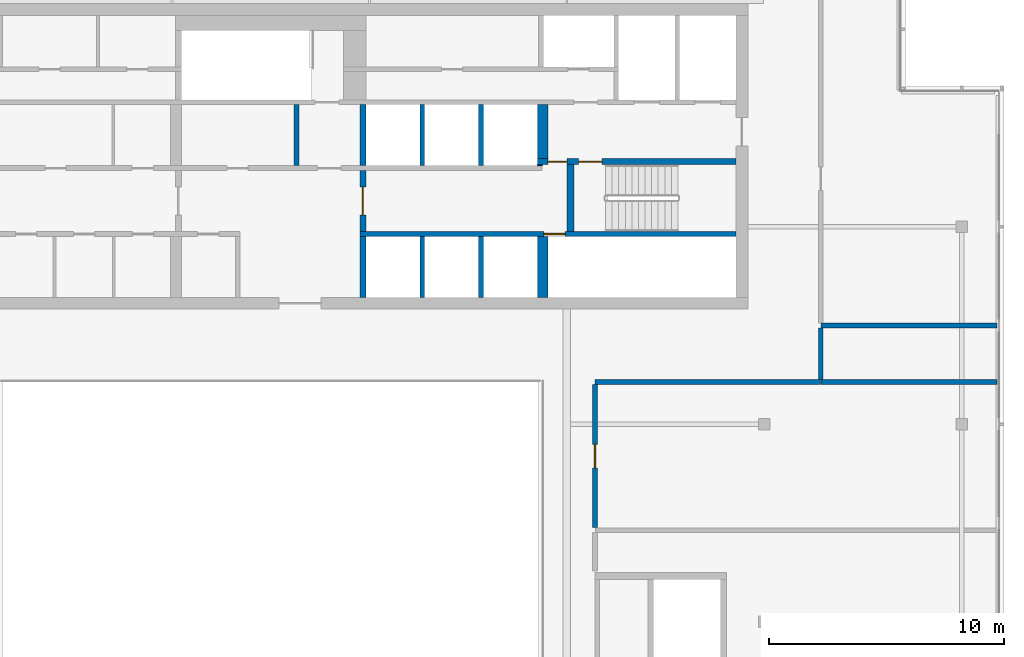
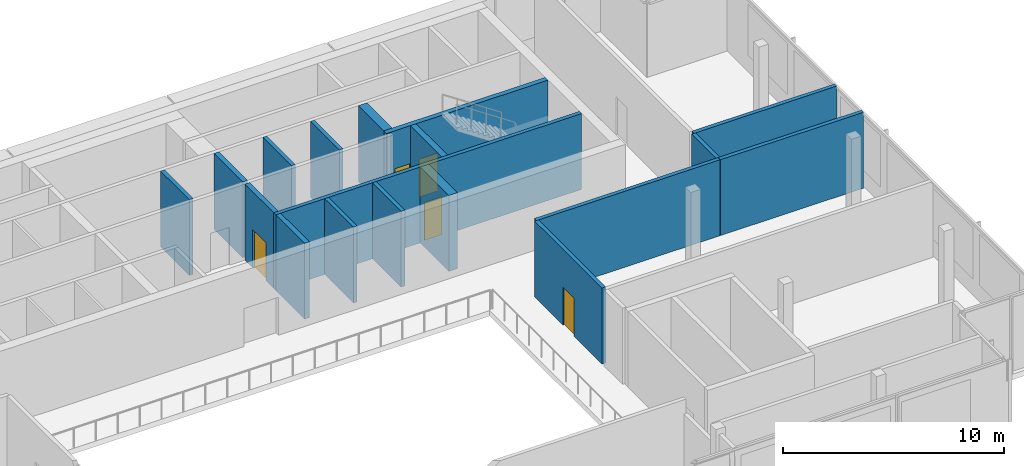
# One storey, part 12 of 14: 19 walls, 5 doors, 5 openings.
"""IFC4 building model written with IfcOpenShell, lengths in metres."""

from ifc_helpers import new_model, si_unit, direction, frame, frame_2d, origin, place, context, subcontext, project, spatial, rectangle, extrude, material, layer, layer_set, type_object, element, fill, save


model = new_model("IFC4")

# Units and contexts
model_context = context("Model", 3, precision=1e-05, world=origin(), true_north=direction((0.0, 1.0)))
body_context = subcontext(model_context, "Body", "Model", "MODEL_VIEW")
ifc_project = project(units=[si_unit("LENGTHUNIT", "METRE"), si_unit("AREAUNIT", "SQUARE_METRE"), si_unit("VOLUMEUNIT", "CUBIC_METRE"), si_unit("PLANEANGLEUNIT", "RADIAN"), si_unit("MASSUNIT", "GRAM", prefix="KILO")], contexts=[model_context])

# Site, building, storey
site_placement = place(None, origin())
site = spatial("IfcSite", under=ifc_project, at=site_placement, CompositionType="ELEMENT")
building_placement = place(site_placement, origin())
building = spatial("IfcBuilding", under=site, at=building_placement, Name="Saffron Gate Tower", CompositionType="ELEMENT")
storey_placement = place(building_placement, frame((0.0, 0.0, 310.35009765625)))
storey = spatial("IfcBuildingStorey", under=building, at=storey_placement, Name="L76", CompositionType="ELEMENT", Elevation=310.35009765625)

# Walls
ifc_material_1 = material(Name="Gypsum board partition on steel studs", Category="steel")
ifc_layer_1 = layer(ifc_material_1, 0.199951171875)
ifc_layer_set_1 = layer_set([ifc_layer_1], Name="CW10 Core partition 200")
wall_type_1 = type_object("IfcWallType", Name="CW10 Core partition 200", PredefinedType="PARTITIONING", material=ifc_layer_set_1)
wall_1_placement = place(storey_placement, frame((88.699951171875, 68.0, 0.0), z_axis=(0.0, 0.0, 1.0), x_axis=(0.0, 1.0, 0.0)))
element("IfcWall", 1, at=wall_1_placement, inside=storey, type_object=wall_type_1, Name="Wall CW10-L76-23", PredefinedType="PARTITIONING", context=body_context, shape_type="SweptSolid", body=[
    extrude(rectangle(XDim=2.60009765625, YDim=0.199951171875, at=frame_2d((1.300048828125, 0.0))), origin(), (0.0, 0.0, 1.0), 4.199951171875),
])
ifc_material_2 = material(Name="Concrete C50", Category="concrete")
ifc_layer_2 = layer(ifc_material_2, 0.25)
ifc_layer_set_2 = layer_set([ifc_layer_2], Name="CW23 RC core wall 250 C50")
wall_type_2 = type_object("IfcWallType", Name="CW23 RC core wall 250 C50", PredefinedType="SOLIDWALL", material=ifc_layer_set_2)
wall_2_placement = place(storey_placement, frame((91.52490234375, 62.39990234375, 0.0), z_axis=(0.0, 0.0, 1.0), x_axis=(0.0, 1.0, 0.0)))
element("IfcWall", 2, at=wall_2_placement, inside=storey, type_object=wall_type_2, Name="Wall CW23-L76-10", PredefinedType="SOLIDWALL", context=body_context, shape_type="SweptSolid", body=[
    extrude(rectangle(XDim=2.60009765625, YDim=0.25, at=frame_2d((1.300048828125, 0.0))), origin(), (0.0, 0.0, 1.0), 4.199951171875),
])

# Wall, opening, door
wall_3_placement = place(storey_placement, frame((91.52490234375, 65.199951171875, 0.0), z_axis=(0.0, 0.0, 1.0), x_axis=(0.0, 1.0, 0.0)))
wall_3 = element("IfcWall", 3, at=wall_3_placement, inside=storey, type_object=wall_type_2, Name="Wall CW23-L76-18", PredefinedType="SOLIDWALL", context=body_context, shape_type="SweptSolid", body=[
    extrude(rectangle(XDim=2.60009765625, YDim=0.25, at=frame_2d((1.300048828125, 0.0))), origin(), (0.0, 0.0, 1.0), 4.199951171875),
])
opening_1_placement = place(wall_3_placement, frame((0.699951171875, 0.0, 0.0)))
opening_1 = element("IfcOpeningElement", 4, at=opening_1_placement, cuts=wall_3, Name="Opening CR-01", PredefinedType="OPENING", context=body_context, shape_type="SweptSolid", body=[
    extrude(rectangle(XDim=1.199951171875, YDim=2.10009765625, at=frame_2d((0.60009765625, 1.050048828125))), frame((0.0, 0.135009765625, 0.0), z_axis=(0.0, -1.0, 0.0), x_axis=(1.0, 0.0, 0.0)), (0.0, 0.0, 1.0), 0.27001953125),
])
ifc_material_3 = material(Name="Steel fire door set", Category="steel")
door_type_1 = type_object("IfcDoorType", Name="CD3 Lobby door 1200x2100 EI 120", OperationType="NOTDEFINED", PredefinedType="DOOR", material=ifc_material_3)
door_1_placement = place(opening_1_placement, origin())
door_1 = element("IfcDoor", 5, at=door_1_placement, inside=storey, type_object=door_type_1, Name="DOOR CR-01", OperationType="SINGLE_SWING_RIGHT", OverallHeight=2.10009765625, OverallWidth=1.199951171875, PredefinedType="DOOR", context=body_context, shape_type="SweptSolid", body=[
    extrude(rectangle(XDim=1.199951171875, YDim=2.10009765625, at=frame_2d((0.60009765625, 1.050048828125))), frame((0.0, 0.02490234375, 0.0), z_axis=(0.0, -1.0, 0.0), x_axis=(1.0, 0.0, 0.0)), (0.0, 0.0, 1.0), 0.050048828125),
])
fill(opening_1, door_1)

# Wall
wall_4_placement = place(storey_placement, frame((91.52490234375, 68.0, 0.0), z_axis=(0.0, 0.0, 1.0), x_axis=(0.0, 1.0, 0.0)))
element("IfcWall", 6, at=wall_4_placement, inside=storey, type_object=wall_type_2, Name="Wall CW23-L76-24", PredefinedType="SOLIDWALL", context=body_context, shape_type="SweptSolid", body=[
    extrude(rectangle(XDim=2.60009765625, YDim=0.25, at=frame_2d((1.300048828125, 0.0))), origin(), (0.0, 0.0, 1.0), 4.199951171875),
])

# Wall, openings, doors
wall_5_placement = place(storey_placement, frame((98.949951171875, 68.175048828125, 0.0), z_axis=(0.0, 0.0, 1.0), x_axis=(1.0, 0.0, 0.0)))
wall_5 = element("IfcWall", 7, at=wall_5_placement, inside=storey, type_object=wall_type_2, Name="Wall CW23-L76-29", PredefinedType="SOLIDWALL", context=body_context, shape_type="SweptSolid", body=[
    extrude(rectangle(XDim=8.449951171875, YDim=0.25, at=frame_2d((4.22509765625, 0.0))), origin(), (0.0, 0.0, 1.0), 4.199951171875),
])
opening_2_placement = place(wall_5_placement, frame((0.449951171875, 0.0, 0.0)))
opening_2 = element("IfcOpeningElement", 8, at=opening_2_placement, cuts=wall_5, Name="Opening CR-05", PredefinedType="OPENING", context=body_context, shape_type="SweptSolid", body=[
    extrude(rectangle(XDim=0.800048828125, YDim=2.10009765625, at=frame_2d((0.39990234375, 1.050048828125))), frame((0.0, 0.135009765625, 0.0), z_axis=(0.0, -1.0, 0.0), x_axis=(1.0, 0.0, 0.0)), (0.0, 0.0, 1.0), 0.27001953125),
])
opening_3_placement = place(wall_5_placement, frame((1.75, 0.0, 0.0)))
opening_3 = element("IfcOpeningElement", 9, at=opening_3_placement, cuts=wall_5, Name="Opening CR-16", PredefinedType="OPENING", context=body_context, shape_type="SweptSolid", body=[
    extrude(rectangle(XDim=1.0, YDim=2.10009765625, at=frame_2d((0.5, 1.050048828125))), frame((0.0, 0.135009765625, 0.0), z_axis=(0.0, -1.0, 0.0), x_axis=(1.0, 0.0, 0.0)), (0.0, 0.0, 1.0), 0.27001953125),
])
door_type_2 = type_object("IfcDoorType", Name="CD5 Stair door 1000x2100 EI 120", OperationType="NOTDEFINED", PredefinedType="DOOR", material=ifc_material_3)
door_2_placement = place(opening_3_placement, origin())
door_2 = element("IfcDoor", 10, at=door_2_placement, inside=storey, type_object=door_type_2, Name="DOOR CR-16", OperationType="SINGLE_SWING_RIGHT", OverallHeight=2.10009765625, OverallWidth=1.0, PredefinedType="DOOR", context=body_context, shape_type="SweptSolid", body=[
    extrude(rectangle(XDim=1.0, YDim=2.10009765625, at=frame_2d((0.5, 1.050048828125))), frame((0.0, 0.02490234375, 0.0), z_axis=(0.0, -1.0, 0.0), x_axis=(1.0, 0.0, 0.0)), (0.0, 0.0, 1.0), 0.050048828125),
])
fill(opening_3, door_2)
door_type_3 = type_object("IfcDoorType", Name="CD6 Lobby door 800x2100 EI 120", OperationType="NOTDEFINED", PredefinedType="DOOR", material=ifc_material_3)
door_3_placement = place(opening_2_placement, origin())
door_3 = element("IfcDoor", 11, at=door_3_placement, inside=storey, type_object=door_type_3, Name="DOOR CR-05", OperationType="SINGLE_SWING_LEFT", OverallHeight=2.10009765625, OverallWidth=0.800048828125, PredefinedType="DOOR", context=body_context, shape_type="SweptSolid", body=[
    extrude(rectangle(XDim=0.800048828125, YDim=2.10009765625, at=frame_2d((0.39990234375, 1.050048828125))), frame((0.0, 0.02490234375, 0.0), z_axis=(0.0, -1.0, 0.0), x_axis=(1.0, 0.0, 0.0)), (0.0, 0.0, 1.0), 0.050048828125),
])
fill(opening_2, door_3)

# Walls
ifc_layer_3 = layer(ifc_material_2, 0.449951171875)
ifc_layer_set_3 = layer_set([ifc_layer_3], Name="CW24 RC core wall 450 C50")
wall_type_3 = type_object("IfcWallType", Name="CW24 RC core wall 450 C50", PredefinedType="SOLIDWALL", material=ifc_layer_set_3)
wall_6_placement = place(storey_placement, frame((99.175048828125, 62.39990234375, 0.0), z_axis=(0.0, 0.0, 1.0), x_axis=(0.0, 1.0, 0.0)))
element("IfcWall", 12, at=wall_6_placement, inside=storey, type_object=wall_type_3, Name="Wall CW24-L76-13", PredefinedType="SOLIDWALL", context=body_context, shape_type="SweptSolid", body=[
    extrude(rectangle(XDim=2.60009765625, YDim=0.449951171875, at=frame_2d((1.300048828125, 0.0))), origin(), (0.0, 0.0, 1.0), 4.199951171875),
])
wall_7_placement = place(storey_placement, frame((99.175048828125, 68.300048828125, 0.0), z_axis=(0.0, 0.0, 1.0), x_axis=(0.0, 1.0, 0.0)))
element("IfcWall", 13, at=wall_7_placement, inside=storey, type_object=wall_type_3, Name="Wall CW24-L76-31", PredefinedType="SOLIDWALL", context=body_context, shape_type="SweptSolid", body=[
    extrude(rectangle(XDim=2.300048828125, YDim=0.449951171875, at=frame_2d((1.14990234375, 0.0))), origin(), (0.0, 0.0, 1.0), 4.199951171875),
])
ifc_layer_4 = layer(ifc_material_2, 0.199951171875)
ifc_layer_set_4 = layer_set([ifc_layer_4], Name="CW25 RC core wall 200 C50")
wall_type_4 = type_object("IfcWallType", Name="CW25 RC core wall 200 C50", PredefinedType="SOLIDWALL", material=ifc_layer_set_4)
for number, where, z_axis, x_axis, name in (
    (14, (94.050048828125, 62.39990234375, 0.0), (0.0, 0.0, 1.0), (0.0, 1.0, 0.0), "Wall CW25-L76-11"),
    (15, (96.550048828125, 62.39990234375, 0.0), (0.0, 0.0, 1.0), (0.0, 1.0, 0.0), "Wall CW25-L76-12"),
):
    element("IfcWall", number, at=place(storey_placement, frame(where, z_axis=z_axis, x_axis=x_axis)), inside=storey, type_object=wall_type_4, Name=name, PredefinedType="SOLIDWALL", context=body_context, shape_type="SweptSolid", body=[
        extrude(rectangle(XDim=2.60009765625, YDim=0.199951171875, at=frame_2d((1.300048828125, 0.0))), origin(), (0.0, 0.0, 1.0), 4.199951171875),
    ])

# Wall, opening, door
wall_8_placement = place(storey_placement, frame((91.39990234375, 65.10009765625, 0.0), z_axis=(0.0, 0.0, 1.0), x_axis=(1.0, 0.0, 0.0)))
wall_8 = element("IfcWall", 16, at=wall_8_placement, inside=storey, type_object=wall_type_4, Name="Wall CW25-L76-15", PredefinedType="SOLIDWALL", context=body_context, shape_type="SweptSolid", body=[
    extrude(rectangle(XDim=16.0, YDim=0.199951171875, at=frame_2d((8.0, 0.0))), origin(), (0.0, 0.0, 1.0), 4.199951171875),
])
opening_4_placement = place(wall_8_placement, frame((7.830078125, 0.0, 0.0)))
opening_4 = element("IfcOpeningElement", 17, at=opening_4_placement, cuts=wall_8, Name="Opening CR-48", PredefinedType="OPENING", context=body_context, shape_type="SweptSolid", body=[
    extrude(rectangle(XDim=0.89990234375, YDim=2.10009765625, at=frame_2d((0.449951171875, 1.050048828125))), frame((0.0, 0.10986328125, 0.0), z_axis=(0.0, -1.0, 0.0), x_axis=(1.0, 0.0, 0.0)), (0.0, 0.0, 1.0), 0.219970703125),
])
door_type_4 = type_object("IfcDoorType", Name="CD2 Riser door 900x2100 EI 60", OperationType="NOTDEFINED", PredefinedType="DOOR", material=ifc_material_3)
door_4_placement = place(opening_4_placement, origin())
door_4 = element("IfcDoor", 18, at=door_4_placement, inside=storey, type_object=door_type_4, Name="DOOR CR-48", OperationType="SINGLE_SWING_RIGHT", OverallHeight=2.10009765625, OverallWidth=0.89990234375, PredefinedType="DOOR", context=body_context, shape_type="SweptSolid", body=[
    extrude(rectangle(XDim=0.89990234375, YDim=2.10009765625, at=frame_2d((0.449951171875, 1.050048828125))), frame((0.0, 0.02490234375, 0.0), z_axis=(0.0, -1.0, 0.0), x_axis=(1.0, 0.0, 0.0)), (0.0, 0.0, 1.0), 0.050048828125),
])
fill(opening_4, door_4)

# Walls
for number, where, z_axis, x_axis, name in (
    (19, (94.050048828125, 68.0, 0.0), (0.0, 0.0, 1.0), (0.0, 1.0, 0.0), "Wall CW25-L76-25"),
    (20, (96.550048828125, 68.0, 0.0), (0.0, 0.0, 1.0), (0.0, 1.0, 0.0), "Wall CW25-L76-26"),
):
    element("IfcWall", number, at=place(storey_placement, frame(where, z_axis=z_axis, x_axis=x_axis)), inside=storey, type_object=wall_type_4, Name=name, PredefinedType="SOLIDWALL", context=body_context, shape_type="SweptSolid", body=[
        extrude(rectangle(XDim=2.60009765625, YDim=0.199951171875, at=frame_2d((1.300048828125, 0.0))), origin(), (0.0, 0.0, 1.0), 4.199951171875),
    ])
ifc_layer_5 = layer(ifc_material_2, 0.300048828125)
ifc_layer_set_5 = layer_set([ifc_layer_5], Name="CW26 RC core wall 300 C50")
wall_type_5 = type_object("IfcWallType", Name="CW26 RC core wall 300 C50", PredefinedType="SOLIDWALL", material=ifc_layer_set_5)
wall_9_placement = place(storey_placement, frame((100.35009765625, 65.199951171875, 0.0), z_axis=(0.0, 0.0, 1.0), x_axis=(0.0, 1.0, 0.0)))
element("IfcWall", 21, at=wall_9_placement, inside=storey, type_object=wall_type_5, Name="Wall CW26-L76-19", PredefinedType="SOLIDWALL", context=body_context, shape_type="SweptSolid", body=[
    extrude(rectangle(XDim=2.85009765625, YDim=0.300048828125, at=frame_2d((1.425048828125, 0.0))), origin(), (0.0, 0.0, 1.0), 4.199951171875),
])
ifc_layer_6 = layer(ifc_material_2, 0.050048828125)
ifc_layer_set_6 = layer_set([ifc_layer_6], Name="CW27 RC core wall 50 C50")
wall_type_6 = type_object("IfcWallType", Name="CW27 RC core wall 50 C50", PredefinedType="SOLIDWALL", material=ifc_layer_set_6)
wall_10_placement = place(storey_placement, frame((98.949951171875, 68.02490234375, 0.0), z_axis=(0.0, 0.0, 1.0), x_axis=(1.0, 0.0, 0.0)))
element("IfcWall", 22, at=wall_10_placement, inside=storey, type_object=wall_type_6, Name="Wall CW27-L76-27", PredefinedType="SOLIDWALL", context=body_context, shape_type="SweptSolid", body=[
    extrude(rectangle(XDim=0.199951171875, YDim=0.050048828125, at=frame_2d((0.10009765625, 0.0))), origin(), (0.0, 0.0, 1.0), 4.199951171875),
])
ifc_material_4 = material(Name="Clay brick masonry, rendered", Category="masonry")
ifc_layer_7 = layer(ifc_material_4, 0.199951171875)
ifc_layer_set_7 = layer_set([ifc_layer_7], Name="PW4 Plant room wall 200")
wall_type_7 = type_object("IfcWallType", Name="PW4 Plant room wall 200", PredefinedType="PARTITIONING", material=ifc_layer_set_7)
wall_11_placement = place(storey_placement, frame((101.39990234375, 58.800048828125, 0.0), z_axis=(0.0, 0.0, 1.0), x_axis=(1.0, 0.0, 0.0)))
element("IfcWall", 23, at=wall_11_placement, inside=storey, type_object=wall_type_7, Name="Wall CR-11", PredefinedType="PARTITIONING", context=body_context, shape_type="SweptSolid", body=[
    extrude(rectangle(XDim=9.60009765625, YDim=0.199951171875, at=frame_2d((4.800048828125, 0.0))), origin(), (0.0, 0.0, 1.0), 4.199951171875),
])

# Wall, opening, door
wall_12_placement = place(storey_placement, frame((101.39990234375, 58.699951171875, 0.0), z_axis=(0.0, 0.0, 1.0), x_axis=(0.0, -1.0, 0.0)))
wall_12 = element("IfcWall", 24, at=wall_12_placement, inside=storey, type_object=wall_type_7, Name="Wall CR-24", PredefinedType="PARTITIONING", context=body_context, shape_type="SweptSolid", body=[
    extrude(rectangle(XDim=6.099853515625, YDim=0.199951171875, at=frame_2d((3.0498046875, 0.0))), origin(), (0.0, 0.0, 1.0), 4.199951171875),
])
opening_5_placement = place(wall_12_placement, frame((2.550048828125, 0.0, 0.0)))
opening_5 = element("IfcOpeningElement", 25, at=opening_5_placement, cuts=wall_12, Name="Opening CR-3", PredefinedType="OPENING", context=body_context, shape_type="SweptSolid", body=[
    extrude(rectangle(XDim=1.0, YDim=2.10009765625, at=frame_2d((0.5, 1.050048828125))), frame((0.0, 0.10986328125, 0.0), z_axis=(0.0, -1.0, 0.0), x_axis=(1.0, 0.0, 0.0)), (0.0, 0.0, 1.0), 0.219970703125),
])
door_type_5 = type_object("IfcDoorType", Name="PD1 Plant room door 1000x2100", OperationType="NOTDEFINED", PredefinedType="DOOR", material=ifc_material_3)
door_5_placement = place(opening_5_placement, origin())
door_5 = element("IfcDoor", 26, at=door_5_placement, inside=storey, type_object=door_type_5, Name="Door CR-3", OperationType="SINGLE_SWING_LEFT", OverallHeight=2.10009765625, OverallWidth=1.0, PredefinedType="DOOR", context=body_context, shape_type="SweptSolid", body=[
    extrude(rectangle(XDim=1.0, YDim=2.10009765625, at=frame_2d((0.5, 1.050048828125))), frame((0.0, 0.02490234375, 0.0), z_axis=(0.0, -1.0, 0.0), x_axis=(1.0, 0.0, 0.0)), (0.0, 0.0, 1.0), 0.050048828125),
])
fill(opening_5, door_5)

# Walls
ifc_layer_8 = layer(ifc_material_4, 0.199951171875)
ifc_layer_set_8 = layer_set([ifc_layer_8], Name="PW5 Room wall 200")
wall_type_8 = type_object("IfcWallType", Name="PW5 Room wall 200", PredefinedType="PARTITIONING", material=ifc_layer_set_8)
for number, where, z_axis, x_axis, name in (
    (27, (111.02001953125, 58.800048828125, 0.0), (0.0, 0.0, 1.0), (1.0, 0.0, 0.0), "Wall CR-9"),
    (28, (111.02001953125, 61.199951171875, 0.0), (0.0, 0.0, 1.0), (1.0, 0.0, 0.0), "Wall CR-13"),
):
    element("IfcWall", number, at=place(storey_placement, frame(where, z_axis=z_axis, x_axis=x_axis)), inside=storey, type_object=wall_type_8, Name=name, PredefinedType="PARTITIONING", context=body_context, shape_type="SweptSolid", body=[
        extrude(rectangle(XDim=7.47998046875, YDim=0.199951171875, at=frame_2d((3.739990234375, 0.0))), origin(), (0.0, 0.0, 1.0), 4.199951171875),
    ])
wall_13_placement = place(storey_placement, frame((111.0, 61.10009765625, 0.0), z_axis=(0.0, 0.0, 1.0), x_axis=(0.0, -1.0, 0.0)))
element("IfcWall", 29, at=wall_13_placement, inside=storey, type_object=wall_type_8, Name="Wall CR-25", PredefinedType="PARTITIONING", context=body_context, shape_type="SweptSolid", body=[
    extrude(rectangle(XDim=2.2001953125, YDim=0.199951171875, at=frame_2d((1.10009765625, 0.0))), origin(), (0.0, 0.0, 1.0), 4.199951171875),
])

save(model, "model.ifc")
